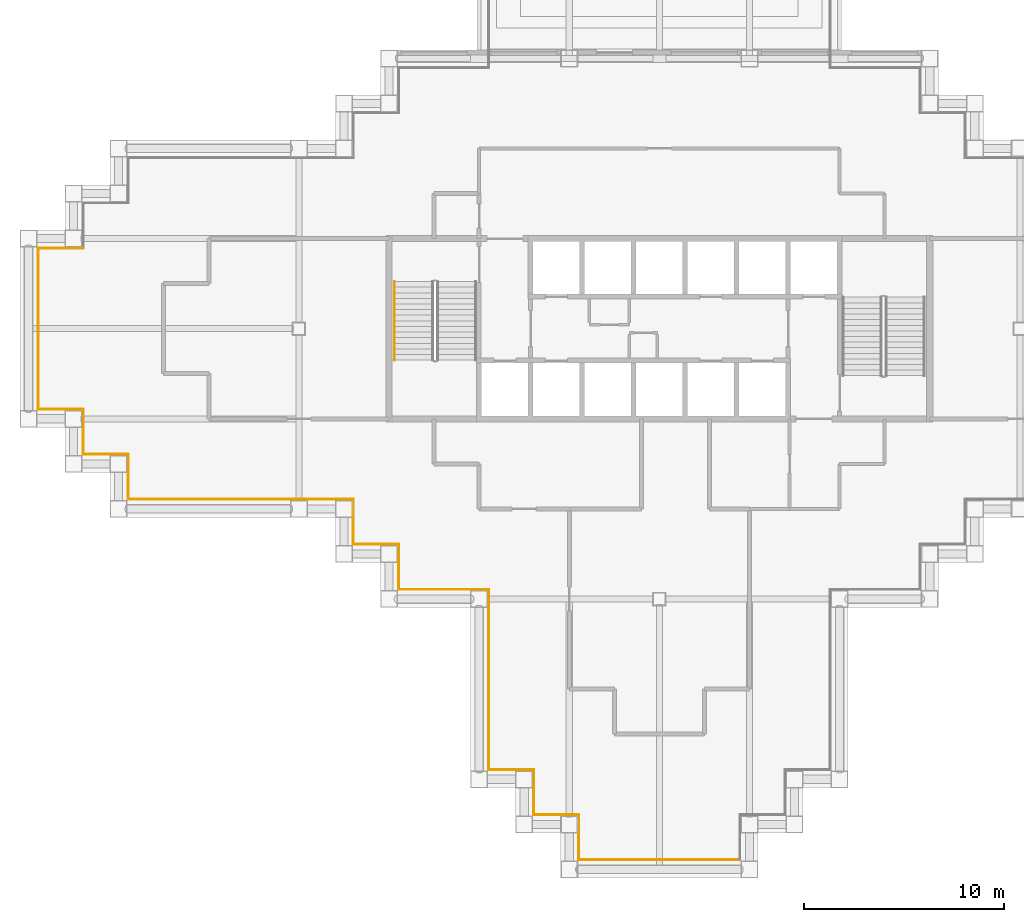
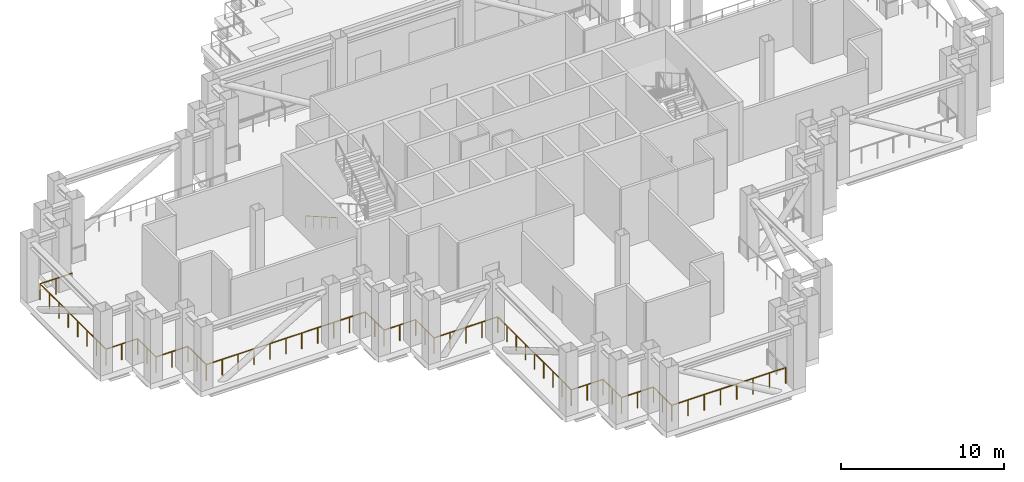
# One storey, part 7 of 10: 18 railings.
"""IFC4 building model written with IfcOpenShell, lengths in metres."""

from ifc_helpers import new_model, si_unit, direction, frame, origin, origin_2d, place, context, subcontext, project, spatial, circle, extrude, material, type_object, element, save


model = new_model("IFC4")

# Units and contexts
model_context = context("Model", 3, precision=1e-05, world=origin(), true_north=direction((0.0, 1.0)))
body_context = subcontext(model_context, "Body", "Model", "MODEL_VIEW")
ifc_project = project(units=[si_unit("LENGTHUNIT", "METRE"), si_unit("AREAUNIT", "SQUARE_METRE"), si_unit("VOLUMEUNIT", "CUBIC_METRE"), si_unit("PLANEANGLEUNIT", "RADIAN"), si_unit("MASSUNIT", "GRAM", prefix="KILO")], contexts=[model_context])

# Site, building, storey
site_placement = place(None, origin())
site = spatial("IfcSite", under=ifc_project, at=site_placement, CompositionType="ELEMENT")
building_placement = place(site_placement, origin())
building = spatial("IfcBuilding", under=site, at=building_placement, Name="Caravel Reach Hotel and Residences", CompositionType="ELEMENT")
storey_placement = place(building_placement, frame((0.0, 0.0, 140.39990234375)))
storey = spatial("IfcBuildingStorey", under=building, at=storey_placement, Name="L35", CompositionType="ELEMENT", Elevation=140.39990234375)

# Railings
ifc_material_1 = material(Name="Stainless steel S30408", Category="steel")
railing_type_1 = type_object("IfcRailingType", Name="G1 Guard 1200 stainless", PredefinedType="GUARDRAIL", material=ifc_material_1)
railing_1_placement = place(storey_placement, frame((2.72509765625, 31.02490234375, 0.0)))
element("IfcRailing", 1, at=railing_1_placement, inside=storey, type_object=railing_type_1, Name="Guard L35 1 run 21", PredefinedType="GUARDRAIL", context=body_context, shape_type="SweptSolid", body=[
    extrude(circle(Radius=0.02392578125, at=origin_2d()), frame((0.0, 0.0, 1.17578125), z_axis=(-1.0, 0.0, 0.0), x_axis=(0.0, -1.0, 0.0)), (0.0, 0.0, 1.0), 2.25),
    extrude(circle(Radius=0.02099609375, at=origin_2d()), frame((-1.125, 0.0, 0.0)), (0.0, 0.0, 1.0), 1.15185546875),
    extrude(circle(Radius=0.02099609375, at=origin_2d()), frame((-2.25, 0.0, 0.0)), (0.0, 0.0, 1.0), 1.15185546875),
])
railing_2_placement = place(storey_placement, frame((0.47509765625, 31.02490234375, 0.0)))
element("IfcRailing", 2, at=railing_2_placement, inside=storey, type_object=railing_type_1, Name="Guard L35 1 run 22", PredefinedType="GUARDRAIL", context=body_context, shape_type="SweptSolid", body=[
    extrude(circle(Radius=0.02392578125, at=origin_2d()), frame((0.0, 0.0, 1.17578125), z_axis=(0.0, -1.0, 0.0), x_axis=(1.0, 0.0, 0.0)), (0.0, 0.0, 1.0), 8.0498046875),
    extrude(circle(Radius=0.02099609375, at=origin_2d()), frame((0.0, -1.14990234375, 0.0)), (0.0, 0.0, 1.0), 1.15185546875),
    extrude(circle(Radius=0.02099609375, at=origin_2d()), frame((0.0, -2.300048828125, 0.0)), (0.0, 0.0, 1.0), 1.15185546875),
    extrude(circle(Radius=0.02099609375, at=origin_2d()), frame((0.0, -3.449951171875, 0.0)), (0.0, 0.0, 1.0), 1.15185546875),
    extrude(circle(Radius=0.02099609375, at=origin_2d()), frame((0.0, -4.599853515625, 0.0)), (0.0, 0.0, 1.0), 1.15185546875),
    extrude(circle(Radius=0.02099609375, at=origin_2d()), frame((0.0, -5.749755859375, 0.0)), (0.0, 0.0, 1.0), 1.15185546875),
    extrude(circle(Radius=0.02099609375, at=origin_2d()), frame((0.0, -6.89990234375, 0.0)), (0.0, 0.0, 1.0), 1.15185546875),
    extrude(circle(Radius=0.02099609375, at=origin_2d()), frame((0.0, -8.0498046875, 0.0)), (0.0, 0.0, 1.0), 1.15185546875),
])
railing_3_placement = place(storey_placement, frame((0.47509765625, 22.97509765625, 0.0)))
element("IfcRailing", 3, at=railing_3_placement, inside=storey, type_object=railing_type_1, Name="Guard L35 1 run 23", PredefinedType="GUARDRAIL", context=body_context, shape_type="SweptSolid", body=[
    extrude(circle(Radius=0.02392578125, at=origin_2d()), frame((0.0, 0.0, 1.17578125), z_axis=(1.0, 0.0, 0.0), x_axis=(0.0, 1.0, 0.0)), (0.0, 0.0, 1.0), 2.25),
    extrude(circle(Radius=0.02099609375, at=origin_2d()), frame((1.125, 0.0, 0.0)), (0.0, 0.0, 1.0), 1.15185546875),
    extrude(circle(Radius=0.02099609375, at=origin_2d()), frame((2.25, 0.0, 0.0)), (0.0, 0.0, 1.0), 1.15185546875),
])
railing_4_placement = place(storey_placement, frame((2.72509765625, 22.97509765625, 0.0)))
element("IfcRailing", 4, at=railing_4_placement, inside=storey, type_object=railing_type_1, Name="Guard L35 1 run 24", PredefinedType="GUARDRAIL", context=body_context, shape_type="SweptSolid", body=[
    extrude(circle(Radius=0.02392578125, at=origin_2d()), frame((0.0, 0.0, 1.17578125), z_axis=(0.0, -1.0, 0.0), x_axis=(1.0, 0.0, 0.0)), (0.0, 0.0, 1.0), 2.25),
    extrude(circle(Radius=0.02099609375, at=origin_2d()), frame((0.0, -1.125, 0.0)), (0.0, 0.0, 1.0), 1.15185546875),
    extrude(circle(Radius=0.02099609375, at=origin_2d()), frame((0.0, -2.25, 0.0)), (0.0, 0.0, 1.0), 1.15185546875),
])
railing_5_placement = place(storey_placement, frame((2.72509765625, 20.72509765625, 0.0)))
element("IfcRailing", 5, at=railing_5_placement, inside=storey, type_object=railing_type_1, Name="Guard L35 1 run 25", PredefinedType="GUARDRAIL", context=body_context, shape_type="SweptSolid", body=[
    extrude(circle(Radius=0.02392578125, at=origin_2d()), frame((0.0, 0.0, 1.17578125), z_axis=(1.0, 0.0, 0.0), x_axis=(0.0, 1.0, 0.0)), (0.0, 0.0, 1.0), 2.25),
    extrude(circle(Radius=0.02099609375, at=origin_2d()), frame((1.125, 0.0, 0.0)), (0.0, 0.0, 1.0), 1.15185546875),
    extrude(circle(Radius=0.02099609375, at=origin_2d()), frame((2.25, 0.0, 0.0)), (0.0, 0.0, 1.0), 1.15185546875),
])
railing_6_placement = place(storey_placement, frame((4.97509765625, 20.72509765625, 0.0)))
element("IfcRailing", 6, at=railing_6_placement, inside=storey, type_object=railing_type_1, Name="Guard L35 1 run 26", PredefinedType="GUARDRAIL", context=body_context, shape_type="SweptSolid", body=[
    extrude(circle(Radius=0.02392578125, at=origin_2d()), frame((0.0, 0.0, 1.17578125), z_axis=(0.0, -1.0, 0.0), x_axis=(1.0, 0.0, 0.0)), (0.0, 0.0, 1.0), 2.25),
    extrude(circle(Radius=0.02099609375, at=origin_2d()), frame((0.0, -1.125, 0.0)), (0.0, 0.0, 1.0), 1.15185546875),
    extrude(circle(Radius=0.02099609375, at=origin_2d()), frame((0.0, -2.25, 0.0)), (0.0, 0.0, 1.0), 1.15185546875),
])
railing_7_placement = place(storey_placement, frame((4.97509765625, 18.47509765625, 0.0)))
element("IfcRailing", 7, at=railing_7_placement, inside=storey, type_object=railing_type_1, Name="Guard L35 1 run 27", PredefinedType="GUARDRAIL", context=body_context, shape_type="SweptSolid", body=[
    extrude(circle(Radius=0.02392578125, at=origin_2d()), frame((0.0, 0.0, 1.17578125), z_axis=(1.0, 0.0, 0.0), x_axis=(0.0, 1.0, 0.0)), (0.0, 0.0, 1.0), 11.25),
    extrude(circle(Radius=0.02099609375, at=origin_2d()), frame((1.125, 0.0, 0.0)), (0.0, 0.0, 1.0), 1.15185546875),
    extrude(circle(Radius=0.02099609375, at=origin_2d()), frame((2.25, 0.0, 0.0)), (0.0, 0.0, 1.0), 1.15185546875),
    extrude(circle(Radius=0.02099609375, at=origin_2d()), frame((3.375, 0.0, 0.0)), (0.0, 0.0, 1.0), 1.15185546875),
    extrude(circle(Radius=0.02099609375, at=origin_2d()), frame((4.5, 0.0, 0.0)), (0.0, 0.0, 1.0), 1.15185546875),
    extrude(circle(Radius=0.02099609375, at=origin_2d()), frame((5.625, 0.0, 0.0)), (0.0, 0.0, 1.0), 1.15185546875),
    extrude(circle(Radius=0.02099609375, at=origin_2d()), frame((6.75, 0.0, 0.0)), (0.0, 0.0, 1.0), 1.15185546875),
    extrude(circle(Radius=0.02099609375, at=origin_2d()), frame((7.875, 0.0, 0.0)), (0.0, 0.0, 1.0), 1.15185546875),
    extrude(circle(Radius=0.02099609375, at=origin_2d()), frame((9.0, 0.0, 0.0)), (0.0, 0.0, 1.0), 1.15185546875),
    extrude(circle(Radius=0.02099609375, at=origin_2d()), frame((10.125, 0.0, 0.0)), (0.0, 0.0, 1.0), 1.15185546875),
    extrude(circle(Radius=0.02099609375, at=origin_2d()), frame((11.25, 0.0, 0.0)), (0.0, 0.0, 1.0), 1.15185546875),
])
railing_8_placement = place(storey_placement, frame((16.22509765625, 18.47509765625, 0.0)))
element("IfcRailing", 8, at=railing_8_placement, inside=storey, type_object=railing_type_1, Name="Guard L35 1 run 28", PredefinedType="GUARDRAIL", context=body_context, shape_type="SweptSolid", body=[
    extrude(circle(Radius=0.02392578125, at=origin_2d()), frame((0.0, 0.0, 1.17578125), z_axis=(0.0, -1.0, 0.0), x_axis=(1.0, 0.0, 0.0)), (0.0, 0.0, 1.0), 2.25),
    extrude(circle(Radius=0.02099609375, at=origin_2d()), frame((0.0, -1.125, 0.0)), (0.0, 0.0, 1.0), 1.15185546875),
    extrude(circle(Radius=0.02099609375, at=origin_2d()), frame((0.0, -2.25, 0.0)), (0.0, 0.0, 1.0), 1.15185546875),
])
railing_9_placement = place(storey_placement, frame((16.22509765625, 16.22509765625, 0.0)))
element("IfcRailing", 9, at=railing_9_placement, inside=storey, type_object=railing_type_1, Name="Guard L35 1 run 29", PredefinedType="GUARDRAIL", context=body_context, shape_type="SweptSolid", body=[
    extrude(circle(Radius=0.02392578125, at=origin_2d()), frame((0.0, 0.0, 1.17578125), z_axis=(1.0, 0.0, 0.0), x_axis=(0.0, 1.0, 0.0)), (0.0, 0.0, 1.0), 2.25),
    extrude(circle(Radius=0.02099609375, at=origin_2d()), frame((1.125, 0.0, 0.0)), (0.0, 0.0, 1.0), 1.15185546875),
    extrude(circle(Radius=0.02099609375, at=origin_2d()), frame((2.25, 0.0, 0.0)), (0.0, 0.0, 1.0), 1.15185546875),
])
railing_10_placement = place(storey_placement, frame((18.47509765625, 16.22509765625, 0.0)))
element("IfcRailing", 10, at=railing_10_placement, inside=storey, type_object=railing_type_1, Name="Guard L35 1 run 30", PredefinedType="GUARDRAIL", context=body_context, shape_type="SweptSolid", body=[
    extrude(circle(Radius=0.02392578125, at=origin_2d()), frame((0.0, 0.0, 1.17578125), z_axis=(0.0, -1.0, 0.0), x_axis=(1.0, 0.0, 0.0)), (0.0, 0.0, 1.0), 2.25),
    extrude(circle(Radius=0.02099609375, at=origin_2d()), frame((0.0, -1.125, 0.0)), (0.0, 0.0, 1.0), 1.15185546875),
    extrude(circle(Radius=0.02099609375, at=origin_2d()), frame((0.0, -2.25, 0.0)), (0.0, 0.0, 1.0), 1.15185546875),
])
railing_11_placement = place(storey_placement, frame((18.47509765625, 13.97509765625, 0.0)))
element("IfcRailing", 11, at=railing_11_placement, inside=storey, type_object=railing_type_1, Name="Guard L35 1 run 31", PredefinedType="GUARDRAIL", context=body_context, shape_type="SweptSolid", body=[
    extrude(circle(Radius=0.02392578125, at=origin_2d()), frame((0.0, 0.0, 1.17578125), z_axis=(1.0, 0.0, 0.0), x_axis=(0.0, 1.0, 0.0)), (0.0, 0.0, 1.0), 4.5),
    extrude(circle(Radius=0.02099609375, at=origin_2d()), frame((1.125, 0.0, 0.0)), (0.0, 0.0, 1.0), 1.15185546875),
    extrude(circle(Radius=0.02099609375, at=origin_2d()), frame((2.25, 0.0, 0.0)), (0.0, 0.0, 1.0), 1.15185546875),
    extrude(circle(Radius=0.02099609375, at=origin_2d()), frame((3.375, 0.0, 0.0)), (0.0, 0.0, 1.0), 1.15185546875),
    extrude(circle(Radius=0.02099609375, at=origin_2d()), frame((4.5, 0.0, 0.0)), (0.0, 0.0, 1.0), 1.15185546875),
])
railing_12_placement = place(storey_placement, frame((22.97509765625, 13.97509765625, 0.0)))
element("IfcRailing", 12, at=railing_12_placement, inside=storey, type_object=railing_type_1, Name="Guard L35 1 run 32", PredefinedType="GUARDRAIL", context=body_context, shape_type="SweptSolid", body=[
    extrude(circle(Radius=0.02392578125, at=origin_2d()), frame((0.0, 0.0, 1.17578125), z_axis=(0.0, -1.0, 0.0), x_axis=(1.0, 0.0, 0.0)), (0.0, 0.0, 1.0), 9.0),
    extrude(circle(Radius=0.02099609375, at=origin_2d()), frame((0.0, -1.125, 0.0)), (0.0, 0.0, 1.0), 1.15185546875),
    extrude(circle(Radius=0.02099609375, at=origin_2d()), frame((0.0, -2.25, 0.0)), (0.0, 0.0, 1.0), 1.15185546875),
    extrude(circle(Radius=0.02099609375, at=origin_2d()), frame((0.0, -3.375, 0.0)), (0.0, 0.0, 1.0), 1.15185546875),
    extrude(circle(Radius=0.02099609375, at=origin_2d()), frame((0.0, -4.5, 0.0)), (0.0, 0.0, 1.0), 1.15185546875),
    extrude(circle(Radius=0.02099609375, at=origin_2d()), frame((0.0, -5.625, 0.0)), (0.0, 0.0, 1.0), 1.15185546875),
    extrude(circle(Radius=0.02099609375, at=origin_2d()), frame((0.0, -6.75, 0.0)), (0.0, 0.0, 1.0), 1.15185546875),
    extrude(circle(Radius=0.02099609375, at=origin_2d()), frame((0.0, -7.875, 0.0)), (0.0, 0.0, 1.0), 1.15185546875),
    extrude(circle(Radius=0.02099609375, at=origin_2d()), frame((0.0, -9.0, 0.0)), (0.0, 0.0, 1.0), 1.15185546875),
])
railing_13_placement = place(storey_placement, frame((22.97509765625, 4.97509765625, 0.0)))
element("IfcRailing", 13, at=railing_13_placement, inside=storey, type_object=railing_type_1, Name="Guard L35 1 run 33", PredefinedType="GUARDRAIL", context=body_context, shape_type="SweptSolid", body=[
    extrude(circle(Radius=0.02392578125, at=origin_2d()), frame((0.0, 0.0, 1.17578125), z_axis=(1.0, 0.0, 0.0), x_axis=(0.0, 1.0, 0.0)), (0.0, 0.0, 1.0), 2.25),
    extrude(circle(Radius=0.02099609375, at=origin_2d()), frame((1.125, 0.0, 0.0)), (0.0, 0.0, 1.0), 1.15185546875),
    extrude(circle(Radius=0.02099609375, at=origin_2d()), frame((2.25, 0.0, 0.0)), (0.0, 0.0, 1.0), 1.15185546875),
])
railing_14_placement = place(storey_placement, frame((25.22509765625, 4.97509765625, 0.0)))
element("IfcRailing", 14, at=railing_14_placement, inside=storey, type_object=railing_type_1, Name="Guard L35 1 run 34", PredefinedType="GUARDRAIL", context=body_context, shape_type="SweptSolid", body=[
    extrude(circle(Radius=0.02392578125, at=origin_2d()), frame((0.0, 0.0, 1.17578125), z_axis=(0.0, -1.0, 0.0), x_axis=(1.0, 0.0, 0.0)), (0.0, 0.0, 1.0), 2.25),
    extrude(circle(Radius=0.02099609375, at=origin_2d()), frame((0.0, -1.125, 0.0)), (0.0, 0.0, 1.0), 1.15185546875),
    extrude(circle(Radius=0.02099609375, at=origin_2d()), frame((0.0, -2.25, 0.0)), (0.0, 0.0, 1.0), 1.15185546875),
])
railing_15_placement = place(storey_placement, frame((25.22509765625, 2.72509765625, 0.0)))
element("IfcRailing", 15, at=railing_15_placement, inside=storey, type_object=railing_type_1, Name="Guard L35 1 run 35", PredefinedType="GUARDRAIL", context=body_context, shape_type="SweptSolid", body=[
    extrude(circle(Radius=0.02392578125, at=origin_2d()), frame((0.0, 0.0, 1.17578125), z_axis=(1.0, 0.0, 0.0), x_axis=(0.0, 1.0, 0.0)), (0.0, 0.0, 1.0), 2.25),
    extrude(circle(Radius=0.02099609375, at=origin_2d()), frame((1.125, 0.0, 0.0)), (0.0, 0.0, 1.0), 1.15185546875),
    extrude(circle(Radius=0.02099609375, at=origin_2d()), frame((2.25, 0.0, 0.0)), (0.0, 0.0, 1.0), 1.15185546875),
])
railing_16_placement = place(storey_placement, frame((27.47509765625, 2.72509765625, 0.0)))
element("IfcRailing", 16, at=railing_16_placement, inside=storey, type_object=railing_type_1, Name="Guard L35 1 run 36", PredefinedType="GUARDRAIL", context=body_context, shape_type="SweptSolid", body=[
    extrude(circle(Radius=0.02392578125, at=origin_2d()), frame((0.0, 0.0, 1.17578125), z_axis=(0.0, -1.0, 0.0), x_axis=(1.0, 0.0, 0.0)), (0.0, 0.0, 1.0), 2.25),
    extrude(circle(Radius=0.02099609375, at=origin_2d()), frame((0.0, -1.125, 0.0)), (0.0, 0.0, 1.0), 1.15185546875),
    extrude(circle(Radius=0.02099609375, at=origin_2d()), frame((0.0, -2.25, 0.0)), (0.0, 0.0, 1.0), 1.15185546875),
])
railing_17_placement = place(storey_placement, frame((27.47509765625, 0.47509765625, 0.0)))
element("IfcRailing", 17, at=railing_17_placement, inside=storey, type_object=railing_type_1, Name="Guard L35 1 run 37", PredefinedType="GUARDRAIL", context=body_context, shape_type="SweptSolid", body=[
    extrude(circle(Radius=0.02392578125, at=origin_2d()), frame((0.0, 0.0, 1.17578125), z_axis=(1.0, 0.0, 0.0), x_axis=(0.0, 1.0, 0.0)), (0.0, 0.0, 1.0), 8.0498046875),
    extrude(circle(Radius=0.02099609375, at=origin_2d()), frame((1.14990234375, 0.0, 0.0)), (0.0, 0.0, 1.0), 1.15185546875),
    extrude(circle(Radius=0.02099609375, at=origin_2d()), frame((2.300048828125, 0.0, 0.0)), (0.0, 0.0, 1.0), 1.15185546875),
    extrude(circle(Radius=0.02099609375, at=origin_2d()), frame((3.449951171875, 0.0, 0.0)), (0.0, 0.0, 1.0), 1.15185546875),
    extrude(circle(Radius=0.02099609375, at=origin_2d()), frame((4.599853515625, 0.0, 0.0)), (0.0, 0.0, 1.0), 1.15185546875),
    extrude(circle(Radius=0.02099609375, at=origin_2d()), frame((5.749755859375, 0.0, 0.0)), (0.0, 0.0, 1.0), 1.15185546875),
    extrude(circle(Radius=0.02099609375, at=origin_2d()), frame((6.89990234375, 0.0, 0.0)), (0.0, 0.0, 1.0), 1.15185546875),
    extrude(circle(Radius=0.02099609375, at=origin_2d()), frame((8.0498046875, 0.0, 0.0)), (0.0, 0.0, 1.0), 1.15185546875),
])
ifc_material_2 = material(Name="Stainless steel handrail", Category="steel")
railing_type_2 = type_object("IfcRailingType", Name="Handrail 900", PredefinedType="HANDRAIL", material=ifc_material_2)
railing_18_placement = place(storey_placement, frame((18.27490234375, 29.35009765625, 0.16015625)))
element("IfcRailing", 18, at=railing_18_placement, inside=storey, type_object=railing_type_2, Name="L35 ST-A stair handrail 1", PredefinedType="HANDRAIL", context=body_context, shape_type="SweptSolid", body=[
    extrude(circle(Radius=0.02392578125, at=origin_2d()), frame((0.0, 0.0, 0.8759765625), z_axis=(0.0, -0.86825312469, 0.496121468458), x_axis=(1.0, 0.0, 0.0)), (0.0, 0.0, 1.0), 4.514892578125),
    extrude(circle(Radius=0.02099609375, at=origin_2d()), origin(), (0.0, 0.0, 1.0), 0.851806640625),
    extrude(circle(Radius=0.02099609375, at=origin_2d()), frame((0.0, -0.97998046875, 0.56005859375)), (0.0, 0.0, 1.0), 0.851806640625),
    extrude(circle(Radius=0.02099609375, at=origin_2d()), frame((0.0, -1.9599609375, 1.1201171875)), (0.0, 0.0, 1.0), 0.851806640625),
    extrude(circle(Radius=0.02099609375, at=origin_2d()), frame((0.0, -2.940185546875, 1.679931640625)), (0.0, 0.0, 1.0), 0.851806640625),
    extrude(circle(Radius=0.02099609375, at=origin_2d()), frame((0.0, -3.920166015625, 2.239990234375)), (0.0, 0.0, 1.0), 0.851806640625),
])

save(model, "model.ifc")
